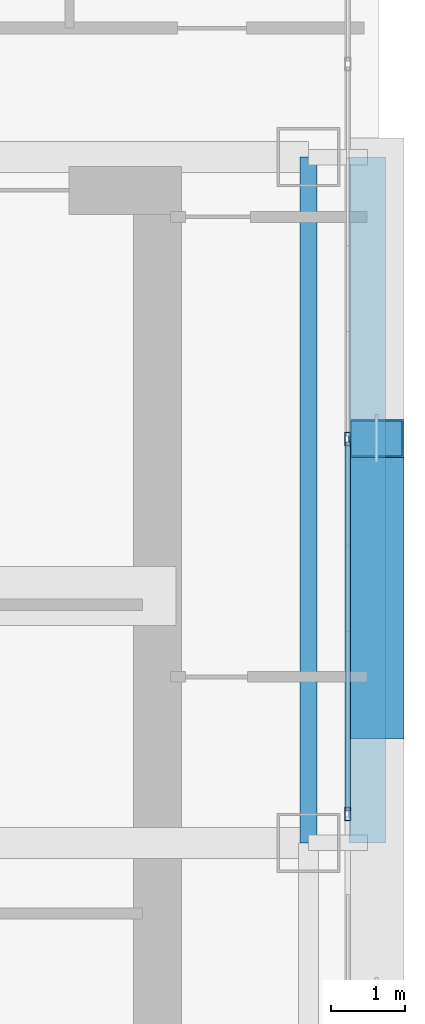
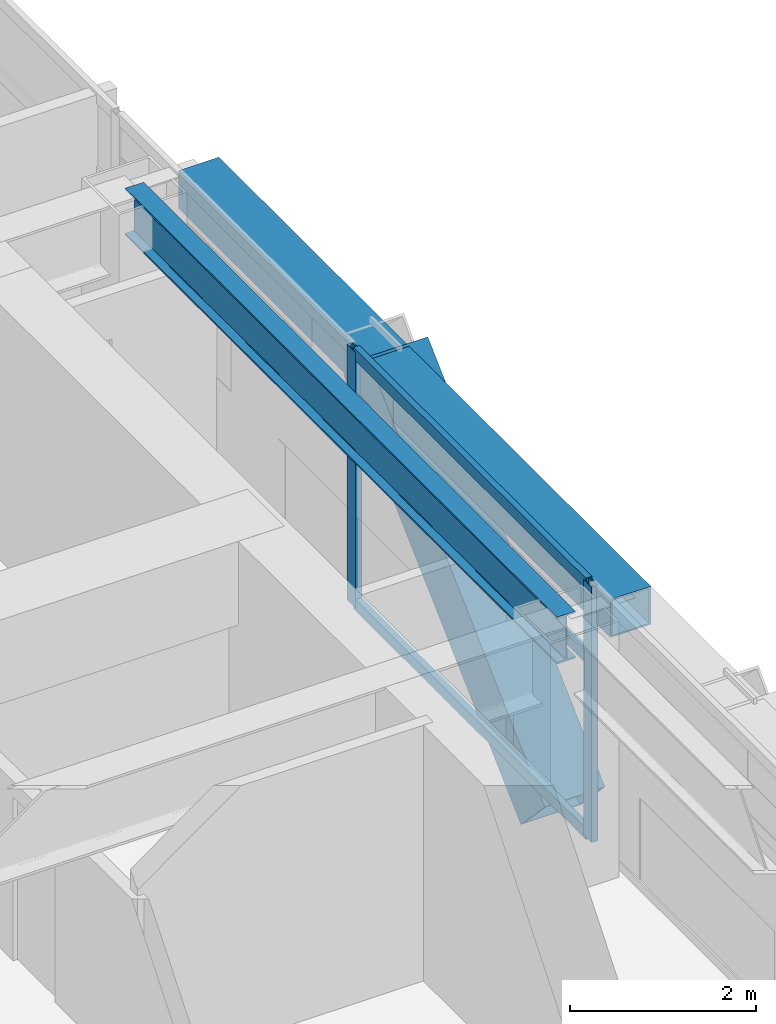
# One storey, part 15 of 35: 6 members, 2 beams, 1 element without a shape of its own.
"""IFC4 building model written with IfcOpenShell, lengths in metres."""

from ifc_helpers import new_model, si_unit, direction, frame, origin, origin_2d, place, context, subcontext, project, spatial, hollow_rectangle, i_section, extrude, source, transform, mapped, material, layer, layer_set, material_profile, profile_set, type_object, element, aggregate, save


model = new_model("IFC4")

# Units and contexts
model_context = context("Model", 3, precision=1e-05, world=origin(), true_north=direction((0.0, 1.0)))
body_context = subcontext(model_context, "Body", "Model", "MODEL_VIEW")
ifc_project = project(units=[si_unit("LENGTHUNIT", "METRE"), si_unit("AREAUNIT", "SQUARE_METRE"), si_unit("VOLUMEUNIT", "CUBIC_METRE"), si_unit("PLANEANGLEUNIT", "RADIAN"), si_unit("MASSUNIT", "GRAM", prefix="KILO")], contexts=[model_context])

# Site, building, storey
site_placement = place(None, origin())
site = spatial("IfcSite", under=ifc_project, at=site_placement, CompositionType="ELEMENT")
building_placement = place(site_placement, origin())
building = spatial("IfcBuilding", under=site, at=building_placement, Name="Ocotamira Hotel", CompositionType="ELEMENT")
storey_placement = place(building_placement, frame((0.0, 0.0, 118.800048828125)))
storey = spatial("IfcBuildingStorey", under=building, at=storey_placement, Name="L29", CompositionType="ELEMENT", Elevation=118.800048828125)

# Beams
ifc_material_1 = material(Name="Steel ASTM A992 Grade 50", Category="steel")
ifc_material_profile_1 = material_profile(ifc_material_1, i_section(OverallWidth=0.22998046875, OverallDepth=0.616943359375, WebThickness=0.01318359375, FlangeThickness=0.022216796875, FilletRadius=0.012939453125, at=origin_2d()), Name="W24X94")
ifc_profile_set_1 = profile_set([ifc_material_profile_1], Name="Steel ASTM A992 Grade 50")
beam_type_1 = type_object("IfcBeamType", Name="BM-PRIM-W24X94", PredefinedType="BEAM", material=ifc_profile_set_1)
shared_shape_1 = source(origin(), body_context, "Body", "SweptSolid", [
    extrude(i_section(OverallWidth=0.22998046875, OverallDepth=0.616943359375, WebThickness=0.01318359375, FlangeThickness=0.022216796875, FilletRadius=0.012939453125, at=origin_2d()), origin(), (0.0, 0.0, 1.0), 9.300048828125),
])
beam_1_placement = place(storey_placement, frame((55.050048828125, 28.14990234375, 3.051513671875), z_axis=(0.0, 1.0, 0.0), x_axis=(-1.0, 0.0, 0.0)))
element("IfcBeam", 1, at=beam_1_placement, inside=storey, type_object=beam_type_1, Name="L29 Beam X55.05 Y28.15-37.45", PredefinedType="BEAM", context=body_context, shape_type="MappedRepresentation", body=[
    mapped(shared_shape_1, transform((0.0, 0.0, 0.0), scale=1.0)),
])
ifc_material_2 = material(Name="Steel ASTM A500 Grade C", Category="steel")
ifc_material_profile_2 = material_profile(ifc_material_2, hollow_rectangle(XDim=0.5, YDim=0.5, WallThickness=0.02001953125, at=origin_2d()), Name="HSS500X500X20")
ifc_profile_set_2 = profile_set([ifc_material_profile_2], Name="Steel ASTM A500 Grade C")
beam_type_2 = type_object("IfcBeamType", Name="BM-SPAN-HSS500", PredefinedType="USERDEFINED", material=ifc_profile_set_2)
shared_shape_2 = source(origin(), body_context, "Body", "SweptSolid", [
    extrude(hollow_rectangle(XDim=0.5, YDim=0.5, WallThickness=0.02001953125, at=origin_2d()), origin(), (0.0, 0.0, 1.0), 9.300048828125),
])
beam_2_placement = place(storey_placement, frame((55.85009765625, 28.14990234375, 3.10986328125), z_axis=(0.0, 1.0, 0.0), x_axis=(-1.0, 0.0, 0.0)))
element("IfcBeam", 2, at=beam_2_placement, inside=storey, type_object=beam_type_2, Name="L29 Edge Spandrel E Y28.15-37.45", ObjectType="SPANDREL", PredefinedType="USERDEFINED", context=body_context, shape_type="MappedRepresentation", body=[
    mapped(shared_shape_2, transform((0.0, 0.0, 0.0), scale=1.0)),
])

# Member
ifc_material_3 = material(Name="Pale-metal coated steel ASTM A913 Grade 65", Category="steel")
ifc_material_profile_3 = material_profile(ifc_material_3, hollow_rectangle(XDim=0.75, YDim=0.75, WallThickness=0.028076171875, at=origin_2d()), Name="BOX750X750X28")
ifc_profile_set_3 = profile_set([ifc_material_profile_3], Name="Pale-metal coated steel ASTM A913 Grade 65")
member_type_1 = type_object("IfcMemberType", Name="MEM-EXO-BOX750", PredefinedType="BRACE", material=ifc_profile_set_3)
shared_shape_3 = source(origin(), body_context, "Body", "SweptSolid", [
    extrude(hollow_rectangle(XDim=0.75, YDim=0.75, WallThickness=0.028076171875, at=origin_2d()), origin(), (0.0, 0.0, 1.0), 5.24658203125),
])
member_1_placement = place(storey_placement, frame((55.969970703125, 29.816650390625, -0.489990234375), z_axis=(0.0, 0.72746596067, 0.686143772154), x_axis=(-1.0, 0.0, 0.0)))
element("IfcMember", 3, at=member_1_placement, inside=storey, type_object=member_type_1, Name="L29 Exoskeleton Diagrid E2.1", PredefinedType="BRACE", context=body_context, shape_type="MappedRepresentation", body=[
    mapped(shared_shape_3, transform((0.0, 0.0, 0.0), scale=1.0)),
])

# Curtain wall, members
ifc_material_4 = material(Name="Anodised pale-metal aluminium and solar glass", Category="aluminium")
ifc_layer = layer(ifc_material_4, 0.179931640625)
ifc_layer_set = layer_set([ifc_layer], Name="Anodised pale-metal aluminium and solar glass")
curtain_wall_type = type_object("IfcCurtainWallType", Name="CW-SYS3-Z2", PredefinedType="NOTDEFINED", material=ifc_layer_set)
curtain_wall_placement = place(storey_placement, origin())
curtain_wall = element("IfcCurtainWall", 4, at=curtain_wall_placement, inside=storey, type_object=curtain_wall_type, Name="L29 Curtain Wall CW-3 CW-L29-E", PredefinedType="NOTDEFINED")
ifc_material_5 = material(Name="Anodised pale-metal aluminium 6063-T6", Category="aluminium")
ifc_material_profile_4 = material_profile(ifc_material_5, hollow_rectangle(XDim=0.074951171875, YDim=0.14990234375, WallThickness=0.006103515625, at=origin_2d()), Name="HSS150X75X6")
ifc_profile_set_4 = profile_set([ifc_material_profile_4], Name="Anodised pale-metal aluminium 6063-T6")
member_type_2 = type_object("IfcMemberType", Name="CWT-150X75", PredefinedType="USERDEFINED", material=ifc_profile_set_4)
shared_shape_4 = source(origin(), body_context, "Body", "SweptSolid", [
    extrude(hollow_rectangle(XDim=0.074951171875, YDim=0.14990234375, WallThickness=0.006103515625, at=origin_2d()), origin(), (0.0, 0.0, 1.0), 5.005859375),
])
member_2_placement = place(storey_placement, frame((55.580078125, 28.582763671875, 0.037353515625), z_axis=(0.0, 1.0, 0.0), x_axis=(-1.0, 0.0, 0.0)))
member_2 = element("IfcMember", 5, at=member_2_placement, type_object=member_type_2, Name="CW-3 transom 5.1", ObjectType="TRANSOM", PredefinedType="USERDEFINED", context=body_context, shape_type="MappedRepresentation", body=[
    mapped(shared_shape_4, transform((0.0, 0.0, 0.0), scale=1.0)),
])
member_3_placement = place(storey_placement, frame((55.580078125, 28.582763671875, 2.349853515625), z_axis=(0.0, 1.0, 0.0), x_axis=(-1.0, 0.0, 0.0)))
member_3 = element("IfcMember", 6, at=member_3_placement, type_object=member_type_2, Name="CW-3 transom 5.2", ObjectType="TRANSOM", PredefinedType="USERDEFINED", context=body_context, shape_type="MappedRepresentation", body=[
    mapped(shared_shape_4, transform((0.0, 0.0, 0.0), scale=1.0)),
])
member_4_placement = place(storey_placement, frame((55.580078125, 28.582763671875, 3.322509765625), z_axis=(0.0, 1.0, 0.0), x_axis=(-1.0, 0.0, 0.0)))
member_4 = element("IfcMember", 7, at=member_4_placement, type_object=member_type_2, Name="CW-3 transom 5.3", ObjectType="TRANSOM", PredefinedType="USERDEFINED", context=body_context, shape_type="MappedRepresentation", body=[
    mapped(shared_shape_4, transform((0.0, 0.0, 0.0), scale=1.0)),
])
ifc_material_profile_5 = material_profile(ifc_material_5, hollow_rectangle(XDim=0.080078125, YDim=0.179931640625, WallThickness=0.006103515625, at=origin_2d()), Name="HSS180X80X6")
ifc_profile_set_5 = profile_set([ifc_material_profile_5], Name="Anodised pale-metal aluminium 6063-T6")
member_type_3 = type_object("IfcMemberType", Name="CWM-180X75", PredefinedType="MULLION", material=ifc_profile_set_5)
shared_shape_5 = source(origin(), body_context, "Body", "SweptSolid", [
    extrude(hollow_rectangle(XDim=0.080078125, YDim=0.179931640625, WallThickness=0.006103515625, at=origin_2d()), origin(), (0.0, 0.0, 1.0), 3.35986328125),
])
member_5_placement = place(storey_placement, frame((55.580078125, 28.54296875, 0.0), z_axis=(0.0, 0.0, 1.0), x_axis=(-1.0, 0.0, 0.0)))
member_5 = element("IfcMember", 8, at=member_5_placement, type_object=member_type_3, Name="CW-3 mullion 5", PredefinedType="MULLION", context=body_context, shape_type="MappedRepresentation", body=[
    mapped(shared_shape_5, transform((0.0, 0.0, 0.0), scale=1.0)),
])
member_6_placement = place(storey_placement, frame((55.580078125, 33.628662109375, 0.0), z_axis=(0.0, 0.0, 1.0), x_axis=(-1.0, 0.0, 0.0)))
member_6 = element("IfcMember", 9, at=member_6_placement, type_object=member_type_3, Name="CW-3 mullion 6", PredefinedType="MULLION", context=body_context, shape_type="MappedRepresentation", body=[
    mapped(shared_shape_5, transform((0.0, 0.0, 0.0), scale=1.0)),
])
aggregate(curtain_wall, [member_5, member_6, member_2, member_3, member_4])

save(model, "model.ifc")
